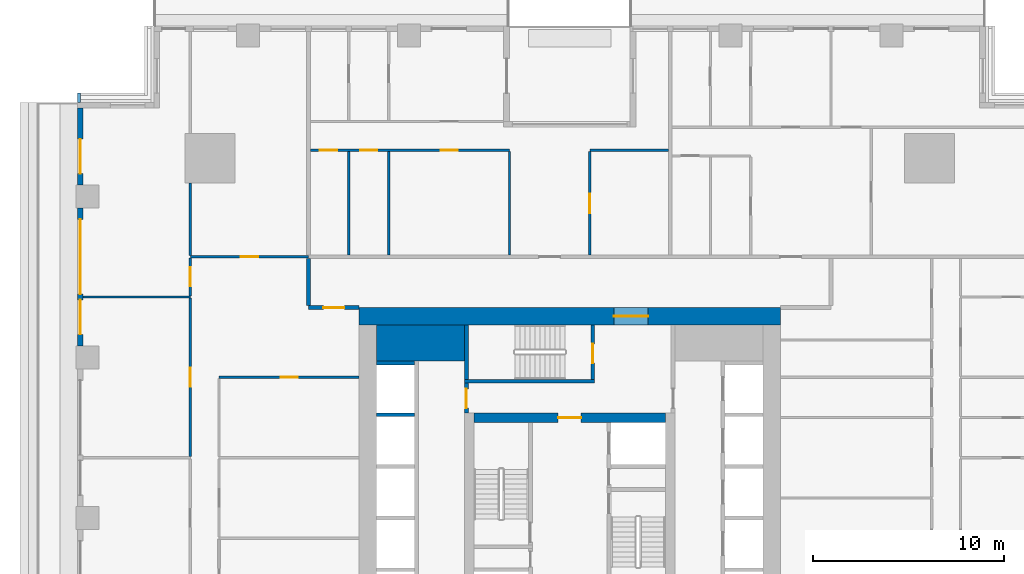
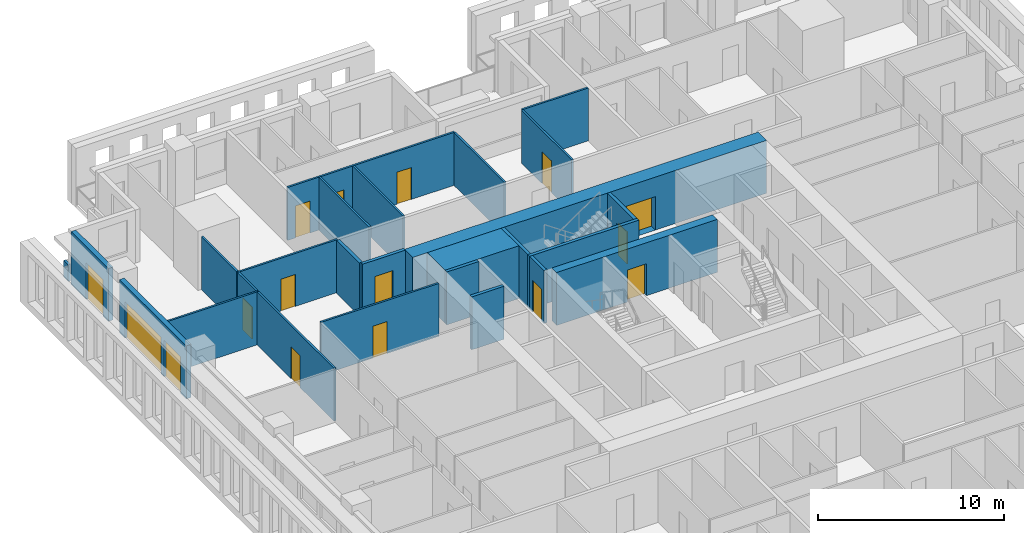
# One storey, part 7 of 16: 26 walls, 16 doors, 16 openings.
"""IFC4 building model written with IfcOpenShell, lengths in metres."""

from ifc_helpers import new_model, si_unit, direction, frame, frame_2d, origin, place, context, subcontext, project, spatial, rectangle, extrude, material, layer, layer_set, type_object, element, fill, save


model = new_model("IFC4")

# Units and contexts
model_context = context("Model", 3, precision=1e-05, world=origin(), true_north=direction((0.0, 1.0)))
body_context = subcontext(model_context, "Body", "Model", "MODEL_VIEW")
ifc_project = project(units=[si_unit("LENGTHUNIT", "METRE"), si_unit("AREAUNIT", "SQUARE_METRE"), si_unit("VOLUMEUNIT", "CUBIC_METRE"), si_unit("PLANEANGLEUNIT", "RADIAN"), si_unit("MASSUNIT", "GRAM", prefix="KILO")], contexts=[model_context])

# Site, building, storey
site_placement = place(None, origin())
site = spatial("IfcSite", under=ifc_project, at=site_placement, CompositionType="ELEMENT")
building_placement = place(site_placement, origin())
building = spatial("IfcBuilding", under=site, at=building_placement, Name="Khepri Terraces", CompositionType="ELEMENT")
storey_placement = place(building_placement, frame((0.0, 0.0, 133.800048828125)))
storey = spatial("IfcBuildingStorey", under=building, at=storey_placement, Name="L31", CompositionType="ELEMENT", Elevation=133.800048828125)

# Walls
ifc_material_1 = material(Name="Concrete C60/75", Category="concrete")
ifc_layer_1 = layer(ifc_material_1, 1.89990234375, Name="Concrete C60/75", Category="concrete")
ifc_layer_set_1 = layer_set([ifc_layer_1], Name="Concrete C60/75")
wall_type_1 = type_object("IfcWallType", Name="Core wall 1900 C60/75", PredefinedType="SHEAR", material=ifc_layer_set_1)
wall_1_placement = place(storey_placement, frame((-10.10009765625, 9.14990234375, 0.0), z_axis=(0.0, 0.0, 1.0), x_axis=(1.0, 0.0, 0.0)))
element("IfcWall", 1, at=wall_1_placement, inside=storey, type_object=wall_type_1, Name="Core wall PR03 L31", PredefinedType="SHEAR", context=body_context, shape_type="SweptSolid", body=[
    extrude(rectangle(XDim=4.60009765625, YDim=1.89990234375, at=frame_2d((2.300048828125, 0.0))), origin(), (0.0, 0.0, 1.0), 3.47998046875),
])
ifc_layer_2 = layer(ifc_material_1, 0.199951171875, Name="Concrete C60/75", Category="concrete")
ifc_layer_set_2 = layer_set([ifc_layer_2], Name="Concrete C60/75")
wall_type_2 = type_object("IfcWallType", Name="Core wall 200 C60/75", PredefinedType="SHEAR", material=ifc_layer_set_2)
wall_2_placement = place(storey_placement, frame((-5.5, 7.14990234375, 0.0), z_axis=(0.0, 0.0, 1.0), x_axis=(1.0, 0.0, 0.0)))
element("IfcWall", 2, at=wall_2_placement, inside=storey, type_object=wall_type_2, Name="Core wall ST05 L31", PredefinedType="SHEAR", context=body_context, shape_type="SweptSolid", body=[
    extrude(rectangle(XDim=6.800048828125, YDim=0.199951171875, at=frame_2d((3.39990234375, 0.0))), origin(), (0.0, 0.0, 1.0), 3.47998046875),
])
wall_3_placement = place(storey_placement, frame((-5.39990234375, 7.25, 0.0), z_axis=(0.0, 0.0, 1.0), x_axis=(0.0, 1.0, 0.0)))
element("IfcWall", 3, at=wall_3_placement, inside=storey, type_object=wall_type_2, Name="Core wall ST06 L31", PredefinedType="SHEAR", context=body_context, shape_type="SweptSolid", body=[
    extrude(rectangle(XDim=2.85009765625, YDim=0.199951171875, at=frame_2d((1.425048828125, 0.0))), origin(), (0.0, 0.0, 1.0), 3.47998046875),
])

# Wall, opening, door
wall_4_placement = place(storey_placement, frame((1.199951171875, 7.25, 0.0), z_axis=(0.0, 0.0, 1.0), x_axis=(0.0, 1.0, 0.0)))
wall_4 = element("IfcWall", 4, at=wall_4_placement, inside=storey, type_object=wall_type_2, Name="Core wall ST07 L31", PredefinedType="SHEAR", context=body_context, shape_type="SweptSolid", body=[
    extrude(rectangle(XDim=2.85009765625, YDim=0.199951171875, at=frame_2d((1.425048828125, 0.0))), origin(), (0.0, 0.0, 1.0), 3.47998046875),
])
opening_1_placement = place(wall_4_placement, frame((0.85009765625, 0.0, 0.0)))
opening_1 = element("IfcOpeningElement", 5, at=opening_1_placement, cuts=wall_4, Name="Opening L31-C15", PredefinedType="OPENING", context=body_context, shape_type="SweptSolid", body=[
    extrude(rectangle(XDim=1.0, YDim=2.10009765625, at=frame_2d((0.5, 1.050048828125))), frame((0.0, 0.10986328125, 0.0), z_axis=(0.0, -1.0, 0.0), x_axis=(1.0, 0.0, 0.0)), (0.0, 0.0, 1.0), 0.219970703125),
])
ifc_material_2 = material(Name="Painted steel", Category="steel")
door_type_1 = type_object("IfcDoorType", Name="DR-CORE-STAIR-1000", OperationType="NOTDEFINED", PredefinedType="DOOR", material=ifc_material_2)
door_1_placement = place(opening_1_placement, origin())
door_1 = element("IfcDoor", 6, at=door_1_placement, inside=storey, type_object=door_type_1, Name="Stair door L31-C15", OperationType="SINGLE_SWING_LEFT", OverallHeight=2.10009765625, OverallWidth=1.0, PredefinedType="DOOR", context=body_context, shape_type="SweptSolid", body=[
    extrude(rectangle(XDim=1.0, YDim=2.10009765625, at=frame_2d((0.5, 1.050048828125))), frame((0.0, 0.02490234375, 0.0), z_axis=(0.0, -1.0, 0.0), x_axis=(1.0, 0.0, 0.0)), (0.0, 0.0, 1.0), 0.050048828125),
])
fill(opening_1, door_1)

# Walls
for number, where, z_axis, x_axis, name in (
    (7, (-10.10009765625, 5.39990234375, 0.0), (0.0, 0.0, 1.0), (1.0, 0.0, 0.0), "Core wall SH22 L31"),
    (8, (-10.10009765625, 8.10009765625, 0.0), (0.0, 0.0, 1.0), (1.0, 0.0, 0.0), "Core wall SH24 L31"),
):
    element("IfcWall", number, at=place(storey_placement, frame(where, z_axis=z_axis, x_axis=x_axis)), inside=storey, type_object=wall_type_2, Name=name, PredefinedType="SHEAR", context=body_context, shape_type="SweptSolid", body=[
        extrude(rectangle(XDim=2.0, YDim=0.199951171875, at=frame_2d((1.0, 0.0))), origin(), (0.0, 0.0, 1.0), 3.47998046875),
    ])

# Wall, opening, door
ifc_layer_3 = layer(ifc_material_1, 0.5, Name="Concrete C60/75", Category="concrete")
ifc_layer_set_3 = layer_set([ifc_layer_3], Name="Concrete C60/75")
wall_type_3 = type_object("IfcWallType", Name="Core wall 500 C60/75", PredefinedType="SHEAR", material=ifc_layer_set_3)
wall_5_placement = place(storey_placement, frame((-5.0, 5.25, 0.0), z_axis=(0.0, 0.0, 1.0), x_axis=(1.0, 0.0, 0.0)))
wall_5 = element("IfcWall", 9, at=wall_5_placement, inside=storey, type_object=wall_type_3, Name="Core wall BX04 L31", PredefinedType="SHEAR", context=body_context, shape_type="SweptSolid", body=[
    extrude(rectangle(XDim=10.0, YDim=0.5, at=frame_2d((5.0, 0.0))), origin(), (0.0, 0.0, 1.0), 3.47998046875),
])
opening_2_placement = place(wall_5_placement, frame((4.39990234375, 0.0, 0.0)))
opening_2 = element("IfcOpeningElement", 10, at=opening_2_placement, cuts=wall_5, Name="Opening L31-C13", PredefinedType="OPENING", context=body_context, shape_type="SweptSolid", body=[
    extrude(rectangle(XDim=1.199951171875, YDim=2.10009765625, at=frame_2d((0.60009765625, 1.050048828125))), frame((0.0, 0.260009765625, 0.0), z_axis=(0.0, -1.0, 0.0), x_axis=(1.0, 0.0, 0.0)), (0.0, 0.0, 1.0), 0.52001953125),
])
door_type_2 = type_object("IfcDoorType", Name="DR-CORE-FF-LOBBY-1200", OperationType="NOTDEFINED", PredefinedType="DOOR", material=ifc_material_2)
door_2_placement = place(opening_2_placement, frame((1.199951171875, 0.0, 0.0), z_axis=(0.0, 0.0, 1.0), x_axis=(-1.0, 0.0, 0.0)))
door_2 = element("IfcDoor", 11, at=door_2_placement, inside=storey, type_object=door_type_2, Name="Firefighting lobby door L31-C13", OperationType="SINGLE_SWING_LEFT", OverallHeight=2.10009765625, OverallWidth=1.199951171875, PredefinedType="DOOR", context=body_context, shape_type="SweptSolid", body=[
    extrude(rectangle(XDim=1.199951171875, YDim=2.10009765625, at=frame_2d((0.60009765625, 1.050048828125))), frame((0.0, 0.02490234375, 0.0), z_axis=(0.0, -1.0, 0.0), x_axis=(1.0, 0.0, 0.0)), (0.0, 0.0, 1.0), 0.050048828125),
])
fill(opening_2, door_2)

ifc_layer_4 = layer(ifc_material_1, 0.89990234375, Name="Concrete C60/75", Category="concrete")
ifc_layer_set_4 = layer_set([ifc_layer_4], Name="Concrete C60/75")
wall_type_4 = type_object("IfcWallType", Name="Core wall 900 C60/75", PredefinedType="SHEAR", material=ifc_layer_set_4)
wall_6_placement = place(storey_placement, frame((-11.0, 10.550048828125, 0.0), z_axis=(0.0, 0.0, 1.0), x_axis=(1.0, 0.0, 0.0)))
wall_6 = element("IfcWall", 12, at=wall_6_placement, inside=storey, type_object=wall_type_4, Name="Core wall OW-N L31", PredefinedType="SHEAR", context=body_context, shape_type="SweptSolid", body=[
    extrude(rectangle(XDim=22.0, YDim=0.89990234375, at=frame_2d((11.0, 0.0))), origin(), (0.0, 0.0, 1.0), 3.47998046875),
])
opening_3_placement = place(wall_6_placement, frame((13.300048828125, 0.0, 0.0)))
opening_3 = element("IfcOpeningElement", 13, at=opening_3_placement, cuts=wall_6, Name="Opening L31-C20", PredefinedType="OPENING", context=body_context, shape_type="SweptSolid", body=[
    extrude(rectangle(XDim=1.800048828125, YDim=2.199951171875, at=frame_2d((0.89990234375, 1.10009765625))), frame((0.0, 0.4599609375, 0.0), z_axis=(0.0, -1.0, 0.0), x_axis=(1.0, 0.0, 0.0)), (0.0, 0.0, 1.0), 0.919921875),
])
door_type_3 = type_object("IfcDoorType", Name="DR-CORE-ENTRANCE-1800", OperationType="NOTDEFINED", PredefinedType="DOOR", material=ifc_material_2)
door_3_placement = place(opening_3_placement, origin())
door_3 = element("IfcDoor", 14, at=door_3_placement, inside=storey, type_object=door_type_3, Name="Core entrance door pair L31-C20", OperationType="DOUBLE_DOOR_SINGLE_SWING", OverallHeight=2.199951171875, OverallWidth=1.800048828125, PredefinedType="DOOR", context=body_context, shape_type="SweptSolid", body=[
    extrude(rectangle(XDim=1.800048828125, YDim=2.199951171875, at=frame_2d((0.89990234375, 1.10009765625))), frame((0.0, 0.02490234375, 0.0), z_axis=(0.0, -1.0, 0.0), x_axis=(1.0, 0.0, 0.0)), (0.0, 0.0, 1.0), 0.050048828125),
])
fill(opening_3, door_3)

ifc_material_3 = material(Name="Fire-rated gypsum board partition")
ifc_layer_5 = layer(ifc_material_3, 0.199951171875, Name="Fire-rated gypsum board partition")
ifc_layer_set_5 = layer_set([ifc_layer_5], Name="Fire-rated gypsum board partition")
wall_type_5 = type_object("IfcWallType", Name="WL-CORE-PART-200", PredefinedType="PARTITIONING", material=ifc_layer_set_5)
wall_7_placement = place(storey_placement, frame((-5.39990234375, 5.5, 0.0), z_axis=(0.0, 0.0, 1.0), x_axis=(0.0, 1.0, 0.0)))
wall_7 = element("IfcWall", 15, at=wall_7_placement, inside=storey, type_object=wall_type_5, Name="Core partition PT03 L31", PredefinedType="PARTITIONING", context=body_context, shape_type="SweptSolid", body=[
    extrude(rectangle(XDim=1.550048828125, YDim=0.199951171875, at=frame_2d((0.77490234375, 0.0))), origin(), (0.0, 0.0, 1.0), 3.47998046875),
])
opening_4_placement = place(wall_7_placement, frame((0.25, 0.0, 0.0)))
opening_4 = element("IfcOpeningElement", 16, at=opening_4_placement, cuts=wall_7, Name="Opening L31-C16", PredefinedType="OPENING", context=body_context, shape_type="SweptSolid", body=[
    extrude(rectangle(XDim=1.0, YDim=2.10009765625, at=frame_2d((0.5, 1.050048828125))), frame((0.0, 0.10986328125, 0.0), z_axis=(0.0, -1.0, 0.0), x_axis=(1.0, 0.0, 0.0)), (0.0, 0.0, 1.0), 0.219970703125),
])
door_type_4 = type_object("IfcDoorType", Name="DR-CORE-LOBBY-1000", OperationType="NOTDEFINED", PredefinedType="DOOR", material=ifc_material_2)
door_4_placement = place(opening_4_placement, frame((1.0, 0.0, 0.0), z_axis=(0.0, 0.0, 1.0), x_axis=(-1.0, 0.0, 0.0)))
door_4 = element("IfcDoor", 17, at=door_4_placement, inside=storey, type_object=door_type_4, Name="Lobby door L31-C16", OperationType="SINGLE_SWING_RIGHT", OverallHeight=2.10009765625, OverallWidth=1.0, PredefinedType="DOOR", context=body_context, shape_type="SweptSolid", body=[
    extrude(rectangle(XDim=1.0, YDim=2.10009765625, at=frame_2d((0.5, 1.050048828125))), frame((0.0, 0.02490234375, 0.0), z_axis=(0.0, -1.0, 0.0), x_axis=(1.0, 0.0, 0.0)), (0.0, 0.0, 1.0), 0.050048828125),
])
fill(opening_4, door_4)

ifc_material_4 = material(Name="Fire-rated gypsum plasterboard partition, mineral wool")
ifc_layer_6 = layer(ifc_material_4, 0.199951171875, Name="Fire-rated gypsum plasterboard partition, mineral wool")
ifc_layer_set_6 = layer_set([ifc_layer_6], Name="Fire-rated gypsum plasterboard partition, mineral wool")
wall_type_6 = type_object("IfcWallType", Name="WL-CORR-200", PredefinedType="PARTITIONING", material=ifc_layer_set_6)
wall_8_placement = place(storey_placement, frame((-13.64990234375, 11.0, 0.0), z_axis=(0.0, 0.0, 1.0), x_axis=(1.0, 0.0, 0.0)))
wall_8 = element("IfcWall", 18, at=wall_8_placement, inside=storey, type_object=wall_type_6, Name="Partition P-076 L31", PredefinedType="PARTITIONING", context=body_context, shape_type="SweptSolid", body=[
    extrude(rectangle(XDim=2.64990234375, YDim=0.199951171875, at=frame_2d((1.324951171875, 0.0))), origin(), (0.0, 0.0, 1.0), 3.47998046875),
])
opening_5_placement = place(wall_8_placement, frame((0.77490234375, 0.0, 0.0)))
opening_5 = element("IfcOpeningElement", 19, at=opening_5_placement, cuts=wall_8, Name="Opening D1", PredefinedType="OPENING", context=body_context, shape_type="SweptSolid", body=[
    extrude(rectangle(XDim=1.10009765625, YDim=2.39990234375, at=frame_2d((0.550048828125, 1.199951171875))), frame((0.0, 0.10986328125, 0.0), z_axis=(0.0, -1.0, 0.0), x_axis=(1.0, 0.0, 0.0)), (0.0, 0.0, 1.0), 0.219970703125),
])
ifc_material_5 = material(Name="Solid-core timber door leaf, flat entrance door", Category="wood")
door_type_5 = type_object("IfcDoorType", Name="DR-ENT-1100", OperationType="NOTDEFINED", PredefinedType="DOOR", material=ifc_material_5)
door_5_placement = place(opening_5_placement, frame((1.10009765625, 0.0, 0.0), z_axis=(0.0, 0.0, 1.0), x_axis=(-1.0, 0.0, 0.0)))
door_5 = element("IfcDoor", 20, at=door_5_placement, inside=storey, type_object=door_type_5, Name="Flat D1 entrance door", OperationType="SINGLE_SWING_LEFT", OverallHeight=2.39990234375, OverallWidth=1.10009765625, PredefinedType="DOOR", context=body_context, shape_type="SweptSolid", body=[
    extrude(rectangle(XDim=1.10009765625, YDim=2.39990234375, at=frame_2d((0.550048828125, 1.199951171875))), frame((0.0, 0.02490234375, 0.0), z_axis=(0.0, -1.0, 0.0), x_axis=(1.0, 0.0, 0.0)), (0.0, 0.0, 1.0), 0.050048828125),
])
fill(opening_5, door_5)

# Wall
wall_9_placement = place(storey_placement, frame((-13.64990234375, 11.10009765625, 0.0), z_axis=(0.0, 0.0, 1.0), x_axis=(0.0, 1.0, 0.0)))
element("IfcWall", 21, at=wall_9_placement, inside=storey, type_object=wall_type_6, Name="Partition P-078 L31", PredefinedType="PARTITIONING", context=body_context, shape_type="SweptSolid", body=[
    extrude(rectangle(XDim=2.449951171875, YDim=0.199951171875, at=frame_2d((1.22509765625, 0.0))), origin(), (0.0, 0.0, 1.0), 3.47998046875),
])

# Wall, opening, door
ifc_material_6 = material(Name="Precast concrete C50/60 warm stone", Category="masonry")
ifc_layer_7 = layer(ifc_material_6, 0.300048828125, Name="Precast concrete C50/60 warm stone", Category="masonry")
ifc_layer_set_7 = layer_set([ifc_layer_7], Name="Precast concrete C50/60 warm stone")
wall_type_7 = type_object("IfcWallType", Name="WL-EXT-PRECAST-300", PredefinedType="STANDARD", material=ifc_layer_set_7)
wall_10_placement = place(storey_placement, frame((-25.570068359375, 21.419921875, 0.0), z_axis=(0.0, 0.0, 1.0), x_axis=(0.0, -1.0, 0.0)))
wall_10 = element("IfcWall", 22, at=wall_10_placement, inside=storey, type_object=wall_type_7, Name="External wall L31 W", PredefinedType="STANDARD", context=body_context, shape_type="SweptSolid", body=[
    extrude(rectangle(XDim=4.02001953125, YDim=0.300048828125, at=frame_2d((2.010009765625, 0.0))), origin(), (0.0, 0.0, 1.0), 3.47998046875),
])
opening_6_placement = place(wall_10_placement, frame((1.6201171875, 0.0, 0.0)))
opening_6 = element("IfcOpeningElement", 23, at=opening_6_placement, cuts=wall_10, Name="Opening ED-L31-13", PredefinedType="OPENING", context=body_context, shape_type="SweptSolid", body=[
    extrude(rectangle(XDim=1.800048828125, YDim=2.39990234375, at=frame_2d((0.89990234375, 1.199951171875))), frame((0.0, 0.16015625, 0.0), z_axis=(0.0, -1.0, 0.0), x_axis=(1.0, 0.0, 0.0)), (0.0, 0.0, 1.0), 0.320068359375),
])
ifc_material_7 = material(Name="Anodised aluminium bronze glazed door", Category="aluminium")
door_type_6 = type_object("IfcDoorType", Name="DR-BAL-SLIDE-1800x2400", OperationType="NOTDEFINED", PredefinedType="DOOR", material=ifc_material_7)
door_6_placement = place(opening_6_placement, origin())
door_6 = element("IfcDoor", 24, at=door_6_placement, inside=storey, type_object=door_type_6, Name="Balcony door L31 W", OperationType="SLIDING_TO_RIGHT", OverallHeight=2.39990234375, OverallWidth=1.800048828125, PredefinedType="DOOR", context=body_context, shape_type="SweptSolid", body=[
    extrude(rectangle(XDim=1.800048828125, YDim=2.39990234375, at=frame_2d((0.89990234375, 1.199951171875))), frame((0.0, 0.02490234375, 0.0), z_axis=(0.0, -1.0, 0.0), x_axis=(1.0, 0.0, 0.0)), (0.0, 0.0, 1.0), 0.050048828125),
])
fill(opening_6, door_6)

# Wall, openings, doors
wall_11_placement = place(storey_placement, frame((-25.570068359375, 16.199951171875, 0.0), z_axis=(0.0, 0.0, 1.0), x_axis=(0.0, -1.0, 0.0)))
wall_11 = element("IfcWall", 25, at=wall_11_placement, inside=storey, type_object=wall_type_7, Name="External wall L31 W", PredefinedType="STANDARD", context=body_context, shape_type="SweptSolid", body=[
    extrude(rectangle(XDim=7.199951171875, YDim=0.300048828125, at=frame_2d((3.60009765625, 0.0))), origin(), (0.0, 0.0, 1.0), 3.47998046875),
])
opening_7_placement = place(wall_11_placement, frame((0.60009765625, 0.0, 0.0)))
opening_7 = element("IfcOpeningElement", 26, at=opening_7_placement, cuts=wall_11, Name="Opening ED-L31-14", PredefinedType="OPENING", context=body_context, shape_type="SweptSolid", body=[
    extrude(rectangle(XDim=3.89990234375, YDim=2.39990234375, at=frame_2d((1.949951171875, 1.199951171875))), frame((0.0, 0.16015625, 0.0), z_axis=(0.0, -1.0, 0.0), x_axis=(1.0, 0.0, 0.0)), (0.0, 0.0, 1.0), 0.320068359375),
])
opening_8_placement = place(wall_11_placement, frame((4.800048828125, 0.0, 0.0)))
opening_8 = element("IfcOpeningElement", 27, at=opening_8_placement, cuts=wall_11, Name="Opening ED-L31-15", PredefinedType="OPENING", context=body_context, shape_type="SweptSolid", body=[
    extrude(rectangle(XDim=1.800048828125, YDim=2.39990234375, at=frame_2d((0.89990234375, 1.199951171875))), frame((0.0, 0.16015625, 0.0), z_axis=(0.0, -1.0, 0.0), x_axis=(1.0, 0.0, 0.0)), (0.0, 0.0, 1.0), 0.320068359375),
])
door_7_placement = place(opening_8_placement, origin())
door_7 = element("IfcDoor", 28, at=door_7_placement, inside=storey, type_object=door_type_6, Name="Balcony door L31 W", OperationType="SLIDING_TO_RIGHT", OverallHeight=2.39990234375, OverallWidth=1.800048828125, PredefinedType="DOOR", context=body_context, shape_type="SweptSolid", body=[
    extrude(rectangle(XDim=1.800048828125, YDim=2.39990234375, at=frame_2d((0.89990234375, 1.199951171875))), frame((0.0, 0.02490234375, 0.0), z_axis=(0.0, -1.0, 0.0), x_axis=(1.0, 0.0, 0.0)), (0.0, 0.0, 1.0), 0.050048828125),
])
fill(opening_8, door_7)
door_type_7 = type_object("IfcDoorType", Name="DR-BAL-SLIDE-3900x2400", OperationType="NOTDEFINED", PredefinedType="DOOR", material=ifc_material_7)
door_8_placement = place(opening_7_placement, origin())
door_8 = element("IfcDoor", 29, at=door_8_placement, inside=storey, type_object=door_type_7, Name="Balcony door L31 W", OperationType="SLIDING_TO_LEFT", OverallHeight=2.39990234375, OverallWidth=3.89990234375, PredefinedType="DOOR", context=body_context, shape_type="SweptSolid", body=[
    extrude(rectangle(XDim=3.89990234375, YDim=2.39990234375, at=frame_2d((1.949951171875, 1.199951171875))), frame((0.0, 0.02490234375, 0.0), z_axis=(0.0, -1.0, 0.0), x_axis=(1.0, 0.0, 0.0)), (0.0, 0.0, 1.0), 0.050048828125),
])
fill(opening_7, door_8)

# Wall
ifc_layer_8 = layer(ifc_material_6, 0.14990234375, Name="Precast concrete C50/60 warm stone", Category="masonry")
ifc_layer_set_8 = layer_set([ifc_layer_8], Name="Precast concrete C50/60 warm stone")
wall_type_8 = type_object("IfcWallType", Name="WL-PARAPET-150", PredefinedType="PARAPET", material=ifc_layer_set_8)
wall_12_placement = place(storey_placement, frame((-25.64501953125, 21.719970703125, 0.0), z_axis=(0.0, 0.0, 1.0), x_axis=(0.0, 1.0, 0.0)))
element("IfcWall", 30, at=wall_12_placement, inside=storey, type_object=wall_type_8, Name="Ledge parapet L31", PredefinedType="PARAPET", context=body_context, shape_type="SweptSolid", body=[
    extrude(rectangle(XDim=0.5, YDim=0.14990234375, at=frame_2d((0.25, 0.0))), origin(), (0.0, 0.0, 1.0), 1.099853515625),
])

# Wall, opening, door
ifc_material_8 = material(Name="Gypsum plasterboard partition")
ifc_layer_9 = layer(ifc_material_8, 0.1201171875, Name="Gypsum plasterboard partition")
ifc_layer_set_9 = layer_set([ifc_layer_9], Name="Gypsum plasterboard partition")
wall_type_9 = type_object("IfcWallType", Name="WL-PART-120", PredefinedType="PARTITIONING", material=ifc_layer_set_9)
wall_13_placement = place(storey_placement, frame((-19.820068359375, 3.2099609375, 0.0), z_axis=(0.0, 0.0, 1.0), x_axis=(0.0, 1.0, 0.0)))
wall_13 = element("IfcWall", 31, at=wall_13_placement, inside=storey, type_object=wall_type_9, Name="Partition P-062 L31", PredefinedType="PARTITIONING", context=body_context, shape_type="SweptSolid", body=[
    extrude(rectangle(XDim=8.280029296875, YDim=0.1201171875, at=frame_2d((4.14013671875, 0.0))), origin(), (0.0, 0.0, 1.0), 3.47998046875),
])
opening_9_placement = place(wall_13_placement, frame((3.639892578125, 0.0, 0.0)))
opening_9 = element("IfcOpeningElement", 32, at=opening_9_placement, cuts=wall_13, Name="Opening D2", PredefinedType="OPENING", context=body_context, shape_type="SweptSolid", body=[
    extrude(rectangle(XDim=1.0, YDim=2.10009765625, at=frame_2d((0.5, 1.050048828125))), frame((0.0, 0.070068359375, 0.0), z_axis=(0.0, -1.0, 0.0), x_axis=(1.0, 0.0, 0.0)), (0.0, 0.0, 1.0), 0.14013671875),
])
ifc_material_9 = material(Name="Timber door leaf, living room door", Category="wood")
door_type_8 = type_object("IfcDoorType", Name="DR-INT-1000", OperationType="NOTDEFINED", PredefinedType="DOOR", material=ifc_material_9)
door_9_placement = place(opening_9_placement, origin())
door_9 = element("IfcDoor", 33, at=door_9_placement, inside=storey, type_object=door_type_8, Name="Door Family Room", OperationType="SINGLE_SWING_RIGHT", OverallHeight=2.10009765625, OverallWidth=1.0, PredefinedType="DOOR", context=body_context, shape_type="SweptSolid", body=[
    extrude(rectangle(XDim=1.0, YDim=2.10009765625, at=frame_2d((0.5, 1.050048828125))), frame((0.0, 0.02490234375, 0.0), z_axis=(0.0, -1.0, 0.0), x_axis=(1.0, 0.0, 0.0)), (0.0, 0.0, 1.0), 0.050048828125),
])
fill(opening_9, door_9)

wall_14_placement = place(storey_placement, frame((-18.320068359375, 7.35009765625, 0.0), z_axis=(0.0, 0.0, 1.0), x_axis=(1.0, 0.0, 0.0)))
wall_14 = element("IfcWall", 34, at=wall_14_placement, inside=storey, type_object=wall_type_9, Name="Partition P-069 L31", PredefinedType="PARTITIONING", context=body_context, shape_type="SweptSolid", body=[
    extrude(rectangle(XDim=7.320068359375, YDim=0.1201171875, at=frame_2d((3.66015625, 0.0))), origin(), (0.0, 0.0, 1.0), 3.47998046875),
])
opening_10_placement = place(wall_14_placement, frame((3.2099609375, 0.0, 0.0)))
opening_10 = element("IfcOpeningElement", 35, at=opening_10_placement, cuts=wall_14, Name="Opening D3", PredefinedType="OPENING", context=body_context, shape_type="SweptSolid", body=[
    extrude(rectangle(XDim=0.89990234375, YDim=2.10009765625, at=frame_2d((0.449951171875, 1.050048828125))), frame((0.0, 0.070068359375, 0.0), z_axis=(0.0, -1.0, 0.0), x_axis=(1.0, 0.0, 0.0)), (0.0, 0.0, 1.0), 0.14013671875),
])
ifc_material_10 = material(Name="Timber door leaf", Category="wood")
door_type_9 = type_object("IfcDoorType", Name="DR-INT-900", OperationType="NOTDEFINED", PredefinedType="DOOR", material=ifc_material_10)
door_10_placement = place(opening_10_placement, frame((0.89990234375, 0.0, 0.0), z_axis=(0.0, 0.0, 1.0), x_axis=(-1.0, 0.0, 0.0)))
door_10 = element("IfcDoor", 36, at=door_10_placement, inside=storey, type_object=door_type_9, Name="Door Kitchen", OperationType="SINGLE_SWING_LEFT", OverallHeight=2.10009765625, OverallWidth=0.89990234375, PredefinedType="DOOR", context=body_context, shape_type="SweptSolid", body=[
    extrude(rectangle(XDim=0.89990234375, YDim=2.10009765625, at=frame_2d((0.449951171875, 1.050048828125))), frame((0.0, 0.02490234375, 0.0), z_axis=(0.0, -1.0, 0.0), x_axis=(1.0, 0.0, 0.0)), (0.0, 0.0, 1.0), 0.050048828125),
])
fill(opening_10, door_10)

# Wall
wall_15_placement = place(storey_placement, frame((-25.419921875, 11.550048828125, 0.0), z_axis=(0.0, 0.0, 1.0), x_axis=(1.0, 0.0, 0.0)))
element("IfcWall", 37, at=wall_15_placement, inside=storey, type_object=wall_type_9, Name="Partition P-080 L31", PredefinedType="PARTITIONING", context=body_context, shape_type="SweptSolid", body=[
    extrude(rectangle(XDim=5.599853515625, YDim=0.1201171875, at=frame_2d((2.7998046875, 0.0))), origin(), (0.0, 0.0, 1.0), 3.47998046875),
])

# Wall, opening, door
wall_16_placement = place(storey_placement, frame((-19.820068359375, 11.610107421875, 0.0), z_axis=(0.0, 0.0, 1.0), x_axis=(0.0, 1.0, 0.0)))
wall_16 = element("IfcWall", 38, at=wall_16_placement, inside=storey, type_object=wall_type_9, Name="Partition P-082 L31", PredefinedType="PARTITIONING", context=body_context, shape_type="SweptSolid", body=[
    extrude(rectangle(XDim=1.97998046875, YDim=0.1201171875, at=frame_2d((0.989990234375, 0.0))), origin(), (0.0, 0.0, 1.0), 3.47998046875),
])
opening_11_placement = place(wall_16_placement, frame((0.489990234375, 0.0, 0.0)))
opening_11 = element("IfcOpeningElement", 39, at=opening_11_placement, cuts=wall_16, Name="Opening D2", PredefinedType="OPENING", context=body_context, shape_type="SweptSolid", body=[
    extrude(rectangle(XDim=1.0, YDim=2.10009765625, at=frame_2d((0.5, 1.050048828125))), frame((0.0, 0.070068359375, 0.0), z_axis=(0.0, -1.0, 0.0), x_axis=(1.0, 0.0, 0.0)), (0.0, 0.0, 1.0), 0.14013671875),
])
door_11_placement = place(opening_11_placement, origin())
door_11 = element("IfcDoor", 40, at=door_11_placement, inside=storey, type_object=door_type_8, Name="Door Living Room", OperationType="SINGLE_SWING_RIGHT", OverallHeight=2.10009765625, OverallWidth=1.0, PredefinedType="DOOR", context=body_context, shape_type="SweptSolid", body=[
    extrude(rectangle(XDim=1.0, YDim=2.10009765625, at=frame_2d((0.5, 1.050048828125))), frame((0.0, 0.02490234375, 0.0), z_axis=(0.0, -1.0, 0.0), x_axis=(1.0, 0.0, 0.0)), (0.0, 0.0, 1.0), 0.050048828125),
])
fill(opening_11, door_11)

wall_17_placement = place(storey_placement, frame((-19.820068359375, 13.64990234375, 0.0), z_axis=(0.0, 0.0, 1.0), x_axis=(1.0, 0.0, 0.0)))
wall_17 = element("IfcWall", 41, at=wall_17_placement, inside=storey, type_object=wall_type_9, Name="Partition P-084 L31", PredefinedType="PARTITIONING", context=body_context, shape_type="SweptSolid", body=[
    extrude(rectangle(XDim=6.170166015625, YDim=0.1201171875, at=frame_2d((3.0849609375, 0.0))), origin(), (0.0, 0.0, 1.0), 3.47998046875),
])
opening_12_placement = place(wall_17_placement, frame((2.635009765625, 0.0, 0.0)))
opening_12 = element("IfcOpeningElement", 42, at=opening_12_placement, cuts=wall_17, Name="Opening D3", PredefinedType="OPENING", context=body_context, shape_type="SweptSolid", body=[
    extrude(rectangle(XDim=0.89990234375, YDim=2.10009765625, at=frame_2d((0.449951171875, 1.050048828125))), frame((0.0, 0.070068359375, 0.0), z_axis=(0.0, -1.0, 0.0), x_axis=(1.0, 0.0, 0.0)), (0.0, 0.0, 1.0), 0.14013671875),
])
door_12_placement = place(opening_12_placement, origin())
door_12 = element("IfcDoor", 43, at=door_12_placement, inside=storey, type_object=door_type_9, Name="Door Home Gym", OperationType="SINGLE_SWING_RIGHT", OverallHeight=2.10009765625, OverallWidth=0.89990234375, PredefinedType="DOOR", context=body_context, shape_type="SweptSolid", body=[
    extrude(rectangle(XDim=0.89990234375, YDim=2.10009765625, at=frame_2d((0.449951171875, 1.050048828125))), frame((0.0, 0.02490234375, 0.0), z_axis=(0.0, -1.0, 0.0), x_axis=(1.0, 0.0, 0.0)), (0.0, 0.0, 1.0), 0.050048828125),
])
fill(opening_12, door_12)

# Walls
wall_18_placement = place(storey_placement, frame((-19.820068359375, 13.7099609375, 0.0), z_axis=(0.0, 0.0, 1.0), x_axis=(0.0, 1.0, 0.0)))
element("IfcWall", 44, at=wall_18_placement, inside=storey, type_object=wall_type_9, Name="Partition P-086 L31", PredefinedType="PARTITIONING", context=body_context, shape_type="SweptSolid", body=[
    extrude(rectangle(XDim=3.7900390625, YDim=0.1201171875, at=frame_2d((1.89501953125, 0.0))), origin(), (0.0, 0.0, 1.0), 3.47998046875),
])
for number, where, z_axis, x_axis, name in (
    (45, (-11.550048828125, 13.75, 0.0), (0.0, 0.0, 1.0), (0.0, 1.0, 0.0), "Partition P-088 L31"),
    (46, (-9.449951171875, 13.75, 0.0), (0.0, 0.0, 1.0), (0.0, 1.0, 0.0), "Partition P-089 L31"),
    (47, (-3.14990234375, 13.75, 0.0), (0.0, 0.0, 1.0), (0.0, 1.0, 0.0), "Partition P-090 L31"),
):
    element("IfcWall", number, at=place(storey_placement, frame(where, z_axis=z_axis, x_axis=x_axis)), inside=storey, type_object=wall_type_9, Name=name, PredefinedType="PARTITIONING", context=body_context, shape_type="SweptSolid", body=[
        extrude(rectangle(XDim=5.409912109375, YDim=0.1201171875, at=frame_2d((2.705078125, 0.0))), origin(), (0.0, 0.0, 1.0), 3.47998046875),
    ])

# Wall, opening, door
wall_19_placement = place(storey_placement, frame((1.050048828125, 13.75, 0.0), z_axis=(0.0, 0.0, 1.0), x_axis=(0.0, 1.0, 0.0)))
wall_19 = element("IfcWall", 48, at=wall_19_placement, inside=storey, type_object=wall_type_9, Name="Partition P-091 L31", PredefinedType="PARTITIONING", context=body_context, shape_type="SweptSolid", body=[
    extrude(rectangle(XDim=5.409912109375, YDim=0.1201171875, at=frame_2d((2.705078125, 0.0))), origin(), (0.0, 0.0, 1.0), 3.47998046875),
])
opening_13_placement = place(wall_19_placement, frame((2.18505859375, 0.0, 0.0)))
opening_13 = element("IfcOpeningElement", 49, at=opening_13_placement, cuts=wall_19, Name="Opening D2", PredefinedType="OPENING", context=body_context, shape_type="SweptSolid", body=[
    extrude(rectangle(XDim=1.0, YDim=2.10009765625, at=frame_2d((0.5, 1.050048828125))), frame((0.0, 0.070068359375, 0.0), z_axis=(0.0, -1.0, 0.0), x_axis=(1.0, 0.0, 0.0)), (0.0, 0.0, 1.0), 0.14013671875),
])
door_13_placement = place(opening_13_placement, frame((1.0, 0.0, 0.0), z_axis=(0.0, 0.0, 1.0), x_axis=(-1.0, 0.0, 0.0)))
door_13 = element("IfcDoor", 50, at=door_13_placement, inside=storey, type_object=door_type_8, Name="Door Family Room", OperationType="SINGLE_SWING_RIGHT", OverallHeight=2.10009765625, OverallWidth=1.0, PredefinedType="DOOR", context=body_context, shape_type="SweptSolid", body=[
    extrude(rectangle(XDim=1.0, YDim=2.10009765625, at=frame_2d((0.5, 1.050048828125))), frame((0.0, 0.02490234375, 0.0), z_axis=(0.0, -1.0, 0.0), x_axis=(1.0, 0.0, 0.0)), (0.0, 0.0, 1.0), 0.050048828125),
])
fill(opening_13, door_13)

# Wall, openings, doors
wall_20_placement = place(storey_placement, frame((-13.550048828125, 19.219970703125, 0.0), z_axis=(0.0, 0.0, 1.0), x_axis=(1.0, 0.0, 0.0)))
wall_20 = element("IfcWall", 51, at=wall_20_placement, inside=storey, type_object=wall_type_9, Name="Partition P-097 L31", PredefinedType="PARTITIONING", context=body_context, shape_type="SweptSolid", body=[
    extrude(rectangle(XDim=10.400146484375, YDim=0.1201171875, at=frame_2d((5.2001953125, 0.0))), origin(), (0.0, 0.0, 1.0), 3.47998046875),
])
opening_14_placement = place(wall_20_placement, frame((6.800048828125, 0.0, 0.0)))
opening_14 = element("IfcOpeningElement", 52, at=opening_14_placement, cuts=wall_20, Name="Opening D3", PredefinedType="OPENING", context=body_context, shape_type="SweptSolid", body=[
    extrude(rectangle(XDim=0.89990234375, YDim=2.10009765625, at=frame_2d((0.449951171875, 1.050048828125))), frame((0.0, 0.070068359375, 0.0), z_axis=(0.0, -1.0, 0.0), x_axis=(1.0, 0.0, 0.0)), (0.0, 0.0, 1.0), 0.14013671875),
])
opening_15_placement = place(wall_20_placement, frame((2.60009765625, 0.0, 0.0)))
opening_15 = element("IfcOpeningElement", 53, at=opening_15_placement, cuts=wall_20, Name="Opening D4", PredefinedType="OPENING", context=body_context, shape_type="SweptSolid", body=[
    extrude(rectangle(XDim=0.89990234375, YDim=2.10009765625, at=frame_2d((0.449951171875, 1.050048828125))), frame((0.0, 0.070068359375, 0.0), z_axis=(0.0, -1.0, 0.0), x_axis=(1.0, 0.0, 0.0)), (0.0, 0.0, 1.0), 0.14013671875),
])
opening_16_placement = place(wall_20_placement, frame((0.5, 0.0, 0.0)))
opening_16 = element("IfcOpeningElement", 54, at=opening_16_placement, cuts=wall_20, Name="Opening D4", PredefinedType="OPENING", context=body_context, shape_type="SweptSolid", body=[
    extrude(rectangle(XDim=0.89990234375, YDim=2.10009765625, at=frame_2d((0.449951171875, 1.050048828125))), frame((0.0, 0.070068359375, 0.0), z_axis=(0.0, -1.0, 0.0), x_axis=(1.0, 0.0, 0.0)), (0.0, 0.0, 1.0), 0.14013671875),
])
door_14_placement = place(opening_14_placement, frame((0.89990234375, 0.0, 0.0), z_axis=(0.0, 0.0, 1.0), x_axis=(-1.0, 0.0, 0.0)))
door_14 = element("IfcDoor", 55, at=door_14_placement, inside=storey, type_object=door_type_9, Name="Door Kitchen", OperationType="SINGLE_SWING_LEFT", OverallHeight=2.10009765625, OverallWidth=0.89990234375, PredefinedType="DOOR", context=body_context, shape_type="SweptSolid", body=[
    extrude(rectangle(XDim=0.89990234375, YDim=2.10009765625, at=frame_2d((0.449951171875, 1.050048828125))), frame((0.0, 0.02490234375, 0.0), z_axis=(0.0, -1.0, 0.0), x_axis=(1.0, 0.0, 0.0)), (0.0, 0.0, 1.0), 0.050048828125),
])
fill(opening_14, door_14)
ifc_material_11 = material(Name="Timber door leaf, moisture resistant", Category="wood")
door_type_10 = type_object("IfcDoorType", Name="DR-WET-900", OperationType="NOTDEFINED", PredefinedType="DOOR", material=ifc_material_11)
door_15_placement = place(opening_15_placement, frame((0.89990234375, 0.0, 0.0), z_axis=(0.0, 0.0, 1.0), x_axis=(-1.0, 0.0, 0.0)))
door_15 = element("IfcDoor", 56, at=door_15_placement, inside=storey, type_object=door_type_10, Name="Door Powder Room", OperationType="SINGLE_SWING_RIGHT", OverallHeight=2.10009765625, OverallWidth=0.89990234375, PredefinedType="DOOR", context=body_context, shape_type="SweptSolid", body=[
    extrude(rectangle(XDim=0.89990234375, YDim=2.10009765625, at=frame_2d((0.449951171875, 1.050048828125))), frame((0.0, 0.02490234375, 0.0), z_axis=(0.0, -1.0, 0.0), x_axis=(1.0, 0.0, 0.0)), (0.0, 0.0, 1.0), 0.050048828125),
])
fill(opening_15, door_15)
door_16_placement = place(opening_16_placement, frame((0.89990234375, 0.0, 0.0), z_axis=(0.0, 0.0, 1.0), x_axis=(-1.0, 0.0, 0.0)))
door_16 = element("IfcDoor", 57, at=door_16_placement, inside=storey, type_object=door_type_10, Name="Door Guest Bathroom", OperationType="SINGLE_SWING_RIGHT", OverallHeight=2.10009765625, OverallWidth=0.89990234375, PredefinedType="DOOR", context=body_context, shape_type="SweptSolid", body=[
    extrude(rectangle(XDim=0.89990234375, YDim=2.10009765625, at=frame_2d((0.449951171875, 1.050048828125))), frame((0.0, 0.02490234375, 0.0), z_axis=(0.0, -1.0, 0.0), x_axis=(1.0, 0.0, 0.0)), (0.0, 0.0, 1.0), 0.050048828125),
])
fill(opening_16, door_16)

# Wall
wall_21_placement = place(storey_placement, frame((1.050048828125, 19.219970703125, 0.0), z_axis=(0.0, 0.0, 1.0), x_axis=(1.0, 0.0, 0.0)))
element("IfcWall", 58, at=wall_21_placement, inside=storey, type_object=wall_type_9, Name="Partition P-098 L31", PredefinedType="PARTITIONING", context=body_context, shape_type="SweptSolid", body=[
    extrude(rectangle(XDim=4.099853515625, YDim=0.1201171875, at=frame_2d((2.0498046875, 0.0))), origin(), (0.0, 0.0, 1.0), 3.47998046875),
])

save(model, "model.ifc")
